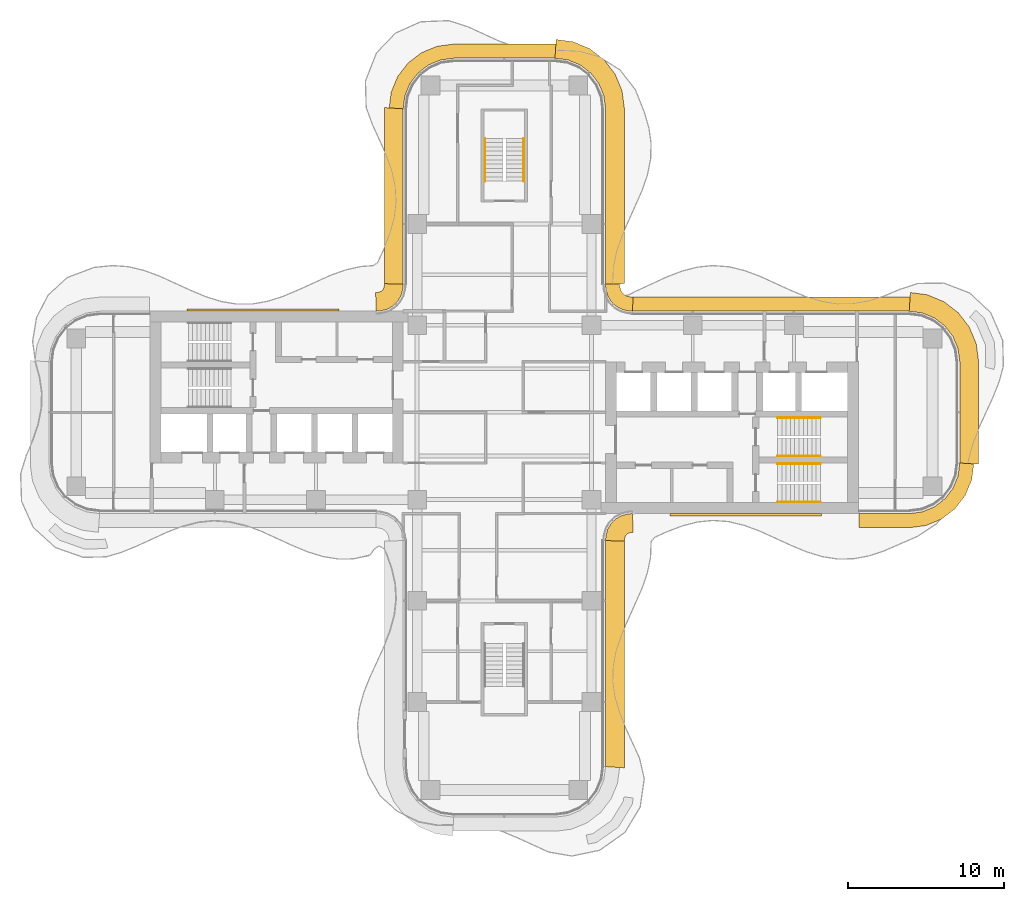
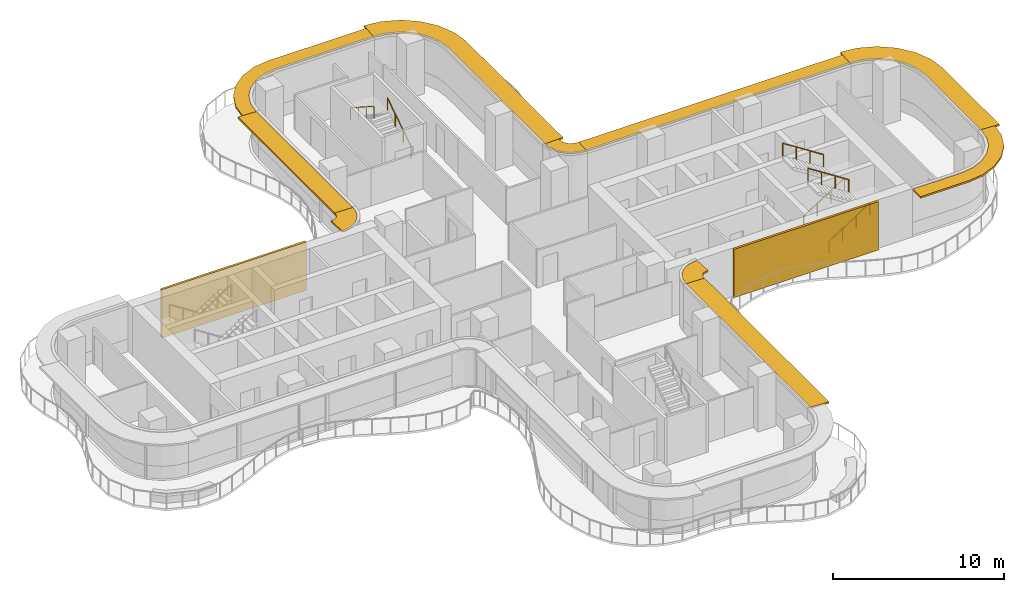
# One storey, part 17 of 17: 10 shading devices, 6 railings, 2 coverings.
"""IFC4 building model written with IfcOpenShell, lengths in metres."""

from ifc_helpers import new_model, si_unit, direction, frame, origin, origin_2d, place, context, subcontext, project, spatial, polyline, circle, outline, extrude, source, transform, mapped, material, layer, layer_set, type_object, element, save


model = new_model("IFC4")

# Units and contexts
model_context = context("Model", 3, precision=1e-05, world=origin(), true_north=direction((0.0, 1.0)))
body_context = subcontext(model_context, "Body", "Model", "MODEL_VIEW")
ifc_project = project(units=[si_unit("LENGTHUNIT", "METRE"), si_unit("AREAUNIT", "SQUARE_METRE"), si_unit("VOLUMEUNIT", "CUBIC_METRE"), si_unit("PLANEANGLEUNIT", "RADIAN"), si_unit("MASSUNIT", "GRAM", prefix="KILO")], contexts=[model_context])

# Site, building, storey
site_placement = place(None, origin())
site = spatial("IfcSite", under=ifc_project, at=site_placement, CompositionType="ELEMENT")
building_placement = place(site_placement, origin())
building = spatial("IfcBuilding", under=site, at=building_placement, Name="Trellis Farm Tower", CompositionType="ELEMENT")
storey_placement = place(building_placement, frame((0.0, 0.0, 208.800048828125)))
storey = spatial("IfcBuildingStorey", under=building, at=storey_placement, Name="L46", CompositionType="ELEMENT", Elevation=208.800048828125)

# Covering
ifc_material_1 = material(Name="Perforated precast screen (cobogo)", Category="concrete")
ifc_layer_1 = layer(ifc_material_1, 0.14990234375)
ifc_layer_set_1 = layer_set([ifc_layer_1], Name="COBOGO SCREEN PANEL")
covering_type = type_object("IfcCoveringType", Name="COBOGO SCREEN PANEL", PredefinedType="USERDEFINED", material=ifc_layer_set_1)
placement_1 = place(storey_placement, origin())
element("IfcCovering", 1, at=placement_1, inside=storey, type_object=covering_type, Name="SC1 01", ObjectType="SCREEN", PredefinedType="USERDEFINED", context=body_context, shape_type="SweptSolid", body=[
    extrude(outline(polyline([(10.630615234375, -6.64990234375), (20.380615234375, -6.64990234375), (20.380615234375, -6.5), (10.630615234375, -6.5), (10.630615234375, -6.64990234375)])), origin(), (0.0, 0.0, 1.0), 3.449951171875),
])

# Railings
ifc_material_2 = material(Name="Stainless steel", Category="steel")
railing_type = type_object("IfcRailingType", Name="STAIR HANDRAIL 900", PredefinedType="HANDRAIL", material=ifc_material_2)
shared_shape_1 = source(origin(), body_context, "Body", "SweptSolid", [
    extrude(circle(Radius=0.02392578125, at=origin_2d()), frame((0.0, 0.0, 0.8759765625), z_axis=(0.0, 0.840503830235, 0.541805602924), x_axis=(-1.0, 0.0, 0.0)), (0.0, 0.0, 1.0), 3.271728515625),
    extrude(circle(Radius=0.02099609375, at=origin_2d()), origin(), (0.0, 0.0, 1.0), 0.851806640625),
    extrude(circle(Radius=0.02099609375, at=origin_2d()), frame((0.0, 0.916748046875, 0.5908203125)), (0.0, 0.0, 1.0), 0.851806640625),
    extrude(circle(Radius=0.02099609375, at=origin_2d()), frame((0.0, 1.833251953125, 1.181884765625)), (0.0, 0.0, 1.0), 0.851806640625),
    extrude(circle(Radius=0.02099609375, at=origin_2d()), frame((0.0, 2.75, 1.772705078125)), (0.0, 0.0, 1.0), 0.851806640625),
])
railing_1_placement = place(storey_placement, frame((1.25, 14.85009765625, 0.17724609375)))
element("IfcRailing", 2, at=railing_1_placement, inside=storey, type_object=railing_type, Name="Stair handrail", PredefinedType="HANDRAIL", context=body_context, shape_type="MappedRepresentation", body=[
    mapped(shared_shape_1, transform((0.0, 0.0, 0.0))),
])
shared_shape_2 = source(origin(), body_context, "Body", "SweptSolid", [
    extrude(circle(Radius=0.02392578125, at=origin_2d()), frame((0.0, 0.0, 0.8759765625), z_axis=(0.0, -0.840503830235, 0.541805602924), x_axis=(1.0, 0.0, 0.0)), (0.0, 0.0, 1.0), 3.271728515625),
    extrude(circle(Radius=0.02099609375, at=origin_2d()), origin(), (0.0, 0.0, 1.0), 0.851806640625),
    extrude(circle(Radius=0.02099609375, at=origin_2d()), frame((0.0, -0.916748046875, 0.5908203125)), (0.0, 0.0, 1.0), 0.851806640625),
    extrude(circle(Radius=0.02099609375, at=origin_2d()), frame((0.0, -1.833251953125, 1.181884765625)), (0.0, 0.0, 1.0), 0.851806640625),
    extrude(circle(Radius=0.02099609375, at=origin_2d()), frame((0.0, -2.75, 1.772705078125)), (0.0, 0.0, 1.0), 0.851806640625),
])
railing_2_placement = place(storey_placement, frame((-1.25, 17.60009765625, 2.127197265625)))
element("IfcRailing", 3, at=railing_2_placement, inside=storey, type_object=railing_type, Name="Stair handrail", PredefinedType="HANDRAIL", context=body_context, shape_type="MappedRepresentation", body=[
    mapped(shared_shape_2, transform((0.0, 0.0, 0.0))),
])
shared_shape_3 = source(origin(), body_context, "Body", "SweptSolid", [
    extrude(circle(Radius=0.02392578125, at=origin_2d()), frame((0.0, 0.0, 0.8759765625), z_axis=(0.840503830235, 0.0, 0.541805602924), x_axis=(0.0, 1.0, 0.0)), (0.0, 0.0, 1.0), 3.271728515625),
    extrude(circle(Radius=0.02099609375, at=origin_2d()), origin(), (0.0, 0.0, 1.0), 0.851806640625),
    extrude(circle(Radius=0.02099609375, at=origin_2d()), frame((0.916748046875, 0.0, 0.5908203125)), (0.0, 0.0, 1.0), 0.851806640625),
    extrude(circle(Radius=0.02099609375, at=origin_2d()), frame((1.833251953125, 0.0, 1.181884765625)), (0.0, 0.0, 1.0), 0.851806640625),
    extrude(circle(Radius=0.02099609375, at=origin_2d()), frame((2.75, 0.0, 1.772705078125)), (0.0, 0.0, 1.0), 0.851806640625),
])
for number, where, name in (
    (4, (17.550048828125, -5.75, 0.17724609375), "Stair handrail"),
    (5, (17.550048828125, -2.800048828125, 0.17724609375), "Stair handrail"),
):
    element("IfcRailing", number, at=place(storey_placement, frame(where)), inside=storey, type_object=railing_type, Name=name, PredefinedType="HANDRAIL", context=body_context, shape_type="MappedRepresentation", body=[
        mapped(shared_shape_3, transform((0.0, 0.0, 0.0))),
    ])
shared_shape_4 = source(origin(), body_context, "Body", "SweptSolid", [
    extrude(circle(Radius=0.02392578125, at=origin_2d()), frame((0.0, 0.0, 0.8759765625), z_axis=(-0.840503830235, 0.0, 0.541805602924), x_axis=(0.0, -1.0, 0.0)), (0.0, 0.0, 1.0), 3.271728515625),
    extrude(circle(Radius=0.02099609375, at=origin_2d()), origin(), (0.0, 0.0, 1.0), 0.851806640625),
    extrude(circle(Radius=0.02099609375, at=origin_2d()), frame((-0.916748046875, 0.0, 0.5908203125)), (0.0, 0.0, 1.0), 0.851806640625),
    extrude(circle(Radius=0.02099609375, at=origin_2d()), frame((-1.833251953125, 0.0, 1.181884765625)), (0.0, 0.0, 1.0), 0.851806640625),
    extrude(circle(Radius=0.02099609375, at=origin_2d()), frame((-2.75, 0.0, 1.772705078125)), (0.0, 0.0, 1.0), 0.851806640625),
])
for number, where, name in (
    (6, (20.300048828125, -3.300048828125, 2.127197265625), "Stair handrail"),
    (7, (20.300048828125, -0.35009765625, 2.127197265625), "Stair handrail"),
):
    element("IfcRailing", number, at=place(storey_placement, frame(where)), inside=storey, type_object=railing_type, Name=name, PredefinedType="HANDRAIL", context=body_context, shape_type="MappedRepresentation", body=[
        mapped(shared_shape_4, transform((0.0, 0.0, 0.0))),
    ])

# Shading devices
ifc_material_3 = material(Name="Aluminium extrusion 6063-T6", Category="aluminium")
ifc_layer_2 = layer(ifc_material_3, 0.1201171875)
ifc_layer_set_2 = layer_set([ifc_layer_2], Name="SUNSHADE BLADE 1200")
shading_device_type_1 = type_object("IfcShadingDeviceType", Name="SUNSHADE BLADE 1200", PredefinedType="USERDEFINED", material=ifc_layer_set_2)
shared_shape_5 = source(origin(), body_context, "Body", "SweptSolid", [
    extrude(outline(polyline([(7.699951171875, -8.270751953125), (7.708740234375, -8.13720703125), (7.70703125, -8.150146484375), (7.7548828125, -7.9716796875), (7.80712890625, -7.881103515625), (7.881103515625, -7.80712890625), (7.9716796875, -7.7548828125), (8.150146484375, -7.70703125), (8.13720703125, -7.708740234375), (8.270751953125, -7.699951171875), (8.2314453125, -6.5), (8.01953125, -6.513916015625), (7.91552734375, -6.527587890625), (7.508544921875, -6.63671875), (7.144287109375, -6.846923828125), (6.846923828125, -7.144287109375), (6.63671875, -7.508544921875), (6.527587890625, -7.91552734375), (6.513916015625, -8.01953125), (6.5, -8.2314453125), (7.699951171875, -8.270751953125)])), origin(), (0.0, 0.0, 1.0), 0.119873046875),
])
placement_2 = place(storey_placement, frame((0.0, 0.0, 3.2900390625)))
element("IfcShadingDevice", 8, at=placement_2, inside=storey, type_object=shading_device_type_1, Name="SD2 006", ObjectType="SUNSHADE", PredefinedType="USERDEFINED", context=body_context, shape_type="MappedRepresentation", body=[
    mapped(shared_shape_5, transform((0.0, 0.0, 0.0))),
])
ifc_layer_3 = layer(ifc_material_3, 0.1201171875)
ifc_layer_set_3 = layer_set([ifc_layer_3], Name="SUNSHADE BLADE 900")
shading_device_type_2 = type_object("IfcShadingDeviceType", Name="SUNSHADE BLADE 900", PredefinedType="USERDEFINED", material=ifc_layer_set_3)
shared_shape_6 = source(origin(), body_context, "Body", "SweptSolid", [
    extrude(outline(polyline([(8.2607421875, 7.39990234375), (8.107666015625, 7.409912109375), (8.091552734375, 7.412109375), (7.85595703125, 7.475341796875), (7.697021484375, 7.567138671875), (7.567138671875, 7.697021484375), (7.475341796875, 7.85595703125), (7.412109375, 8.091552734375), (7.409912109375, 8.107666015625), (7.39990234375, 8.2607421875), (6.5, 8.2314453125), (6.513916015625, 8.01953125), (6.527587890625, 7.91552734375), (6.63671875, 7.508544921875), (6.846923828125, 7.144287109375), (7.144287109375, 6.846923828125), (7.508544921875, 6.63671875), (7.91552734375, 6.527587890625), (8.01953125, 6.513916015625), (8.2314453125, 6.5), (8.2607421875, 7.39990234375)])), origin(), (0.0, 0.0, 1.0), 0.119873046875),
])
element("IfcShadingDevice", 9, at=placement_2, inside=storey, type_object=shading_device_type_2, Name="SD1 010", ObjectType="SUNSHADE", PredefinedType="USERDEFINED", context=body_context, shape_type="MappedRepresentation", body=[
    mapped(shared_shape_6, transform((0.0, 0.0, 0.0))),
])
shared_shape_7 = source(origin(), body_context, "Body", "SweptSolid", [
    extrude(outline(polyline([(-7.699951171875, 8.270751953125), (-7.708740234375, 8.13720703125), (-7.70703125, 8.150146484375), (-7.7548828125, 7.9716796875), (-7.80712890625, 7.881103515625), (-7.881103515625, 7.80712890625), (-7.9716796875, 7.7548828125), (-8.150146484375, 7.70703125), (-8.13720703125, 7.708740234375), (-8.270751953125, 7.699951171875), (-8.2314453125, 6.5), (-8.01953125, 6.513916015625), (-7.91552734375, 6.527587890625), (-7.508544921875, 6.63671875), (-7.144287109375, 6.846923828125), (-6.846923828125, 7.144287109375), (-6.63671875, 7.508544921875), (-6.527587890625, 7.91552734375), (-6.513916015625, 8.01953125), (-6.5, 8.2314453125), (-7.699951171875, 8.270751953125)])), origin(), (0.0, 0.0, 1.0), 0.119873046875),
])
element("IfcShadingDevice", 10, at=placement_2, inside=storey, type_object=shading_device_type_1, Name="SD2 014", ObjectType="SUNSHADE", PredefinedType="USERDEFINED", context=body_context, shape_type="MappedRepresentation", body=[
    mapped(shared_shape_7, transform((0.0, 0.0, 0.0))),
])
shared_shape_8 = source(origin(), body_context, "Body", "SweptSolid", [
    extrude(outline(polyline([(22.780029296875, -7.39990234375), (26.05908203125, -7.39990234375), (27.076171875, -7.26611328125), (28.078857421875, -6.850830078125), (28.93994140625, -6.18994140625), (29.600830078125, -5.328857421875), (30.01611328125, -4.326171875), (30.14990234375, -3.30908203125), (29.25, -3.25), (29.13916015625, -4.091064453125), (28.814697265625, -4.875), (28.298095703125, -5.548095703125), (27.625, -6.064697265625), (26.841064453125, -6.38916015625), (26.0, -6.5), (22.780029296875, -6.5), (22.780029296875, -7.39990234375)])), origin(), (0.0, 0.0, 1.0), 0.119873046875),
])
element("IfcShadingDevice", 11, at=placement_2, inside=storey, type_object=shading_device_type_2, Name="SD1 007", ObjectType="SUNSHADE", PredefinedType="USERDEFINED", context=body_context, shape_type="MappedRepresentation", body=[
    mapped(shared_shape_8, transform((0.0, 0.0, 0.0))),
])
shared_shape_9 = source(origin(), body_context, "Body", "SweptSolid", [
    extrude(outline(polyline([(30.449951171875, -3.32861328125), (30.449951171875, 3.32861328125), (30.308349609375, 4.404541015625), (29.86279296875, 5.480224609375), (29.154052734375, 6.404052734375), (28.230224609375, 7.11279296875), (27.154541015625, 7.558349609375), (26.07861328125, 7.699951171875), (26.0, 6.5), (26.841064453125, 6.38916015625), (27.625, 6.064697265625), (28.298095703125, 5.548095703125), (28.814697265625, 4.875), (29.13916015625, 4.091064453125), (29.25, 3.25), (29.25, -3.25), (30.449951171875, -3.32861328125)])), origin(), (0.0, 0.0, 1.0), 0.119873046875),
])
element("IfcShadingDevice", 12, at=placement_2, inside=storey, type_object=shading_device_type_1, Name="SD2 008", ObjectType="SUNSHADE", PredefinedType="USERDEFINED", context=body_context, shape_type="MappedRepresentation", body=[
    mapped(shared_shape_9, transform((0.0, 0.0, 0.0))),
])
shared_shape_10 = source(origin(), body_context, "Body", "SweptSolid", [
    extrude(outline(polyline([(26.05908203125, 7.39990234375), (8.2607421875, 7.39990234375), (8.2314453125, 6.5), (26.0, 6.5), (26.05908203125, 7.39990234375)])), origin(), (0.0, 0.0, 1.0), 0.119873046875),
])
element("IfcShadingDevice", 13, at=placement_2, inside=storey, type_object=shading_device_type_2, Name="SD1 009", ObjectType="SUNSHADE", PredefinedType="USERDEFINED", context=body_context, shape_type="MappedRepresentation", body=[
    mapped(shared_shape_10, transform((0.0, 0.0, 0.0))),
])
shared_shape_11 = source(origin(), body_context, "Body", "SweptSolid", [
    extrude(outline(polyline([(7.699951171875, -22.82861328125), (7.699951171875, -8.270751953125), (6.5, -8.2314453125), (6.5, -22.75), (7.699951171875, -22.82861328125)])), origin(), (0.0, 0.0, 1.0), 0.119873046875),
])
element("IfcShadingDevice", 14, at=placement_2, inside=storey, type_object=shading_device_type_1, Name="SD2 005", ObjectType="SUNSHADE", PredefinedType="USERDEFINED", context=body_context, shape_type="MappedRepresentation", body=[
    mapped(shared_shape_11, transform((0.0, 0.0, 0.0))),
])
shared_shape_12 = source(origin(), body_context, "Body", "SweptSolid", [
    extrude(outline(polyline([(7.699951171875, 8.270751953125), (7.699951171875, 19.57861328125), (7.558349609375, 20.654541015625), (7.11279296875, 21.730224609375), (6.404052734375, 22.654052734375), (5.480224609375, 23.36279296875), (4.404541015625, 23.808349609375), (3.32861328125, 23.949951171875), (3.25, 22.75), (4.091064453125, 22.63916015625), (4.875, 22.314697265625), (5.548095703125, 21.798095703125), (6.064697265625, 21.125), (6.38916015625, 20.341064453125), (6.5, 19.5), (6.5, 8.2314453125), (7.699951171875, 8.270751953125)])), origin(), (0.0, 0.0, 1.0), 0.119873046875),
])
element("IfcShadingDevice", 15, at=placement_2, inside=storey, type_object=shading_device_type_1, Name="SD2 011", ObjectType="SUNSHADE", PredefinedType="USERDEFINED", context=body_context, shape_type="MappedRepresentation", body=[
    mapped(shared_shape_12, transform((0.0, 0.0, 0.0))),
])
shared_shape_13 = source(origin(), body_context, "Body", "SweptSolid", [
    extrude(outline(polyline([(3.30908203125, 23.64990234375), (-3.30908203125, 23.64990234375), (-4.326171875, 23.51611328125), (-5.328857421875, 23.100830078125), (-6.18994140625, 22.43994140625), (-6.850830078125, 21.578857421875), (-7.26611328125, 20.576171875), (-7.39990234375, 19.55908203125), (-6.5, 19.5), (-6.38916015625, 20.341064453125), (-6.064697265625, 21.125), (-5.548095703125, 21.798095703125), (-4.875, 22.314697265625), (-4.091064453125, 22.63916015625), (-3.25, 22.75), (3.25, 22.75), (3.30908203125, 23.64990234375)])), origin(), (0.0, 0.0, 1.0), 0.119873046875),
])
element("IfcShadingDevice", 16, at=placement_2, inside=storey, type_object=shading_device_type_2, Name="SD1 012", ObjectType="SUNSHADE", PredefinedType="USERDEFINED", context=body_context, shape_type="MappedRepresentation", body=[
    mapped(shared_shape_13, transform((0.0, 0.0, 0.0))),
])
shared_shape_14 = source(origin(), body_context, "Body", "SweptSolid", [
    extrude(outline(polyline([(-7.699951171875, 19.57861328125), (-7.699951171875, 8.270751953125), (-6.5, 8.2314453125), (-6.5, 19.5), (-7.699951171875, 19.57861328125)])), origin(), (0.0, 0.0, 1.0), 0.119873046875),
])
element("IfcShadingDevice", 17, at=placement_2, inside=storey, type_object=shading_device_type_1, Name="SD2 013", ObjectType="SUNSHADE", PredefinedType="USERDEFINED", context=body_context, shape_type="MappedRepresentation", body=[
    mapped(shared_shape_14, transform((0.0, 0.0, 0.0))),
])

# Covering
shared_shape_15 = source(origin(), body_context, "Body", "SweptSolid", [
    extrude(outline(polyline([(-10.630615234375, 6.64990234375), (-20.380615234375, 6.64990234375), (-20.380615234375, 6.5), (-10.630615234375, 6.5), (-10.630615234375, 6.64990234375)])), origin(), (0.0, 0.0, 1.0), 3.449951171875),
])
element("IfcCovering", 18, at=placement_1, inside=storey, type_object=covering_type, Name="SC1 02", ObjectType="SCREEN", PredefinedType="USERDEFINED", context=body_context, shape_type="MappedRepresentation", body=[
    mapped(shared_shape_15, transform((0.0, 0.0, 0.0))),
])

save(model, "model.ifc")
